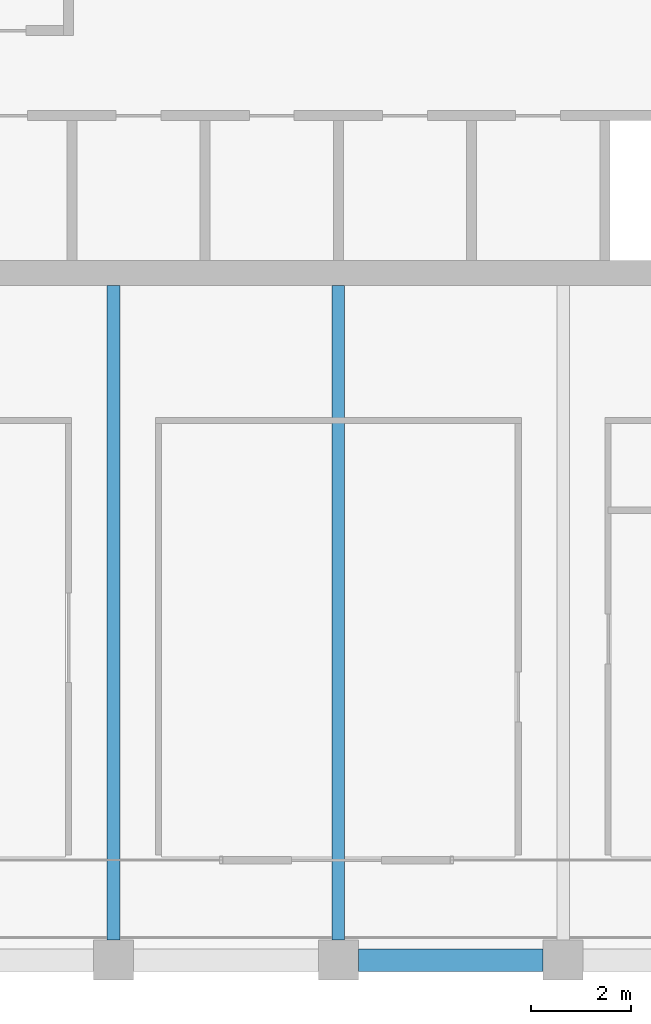
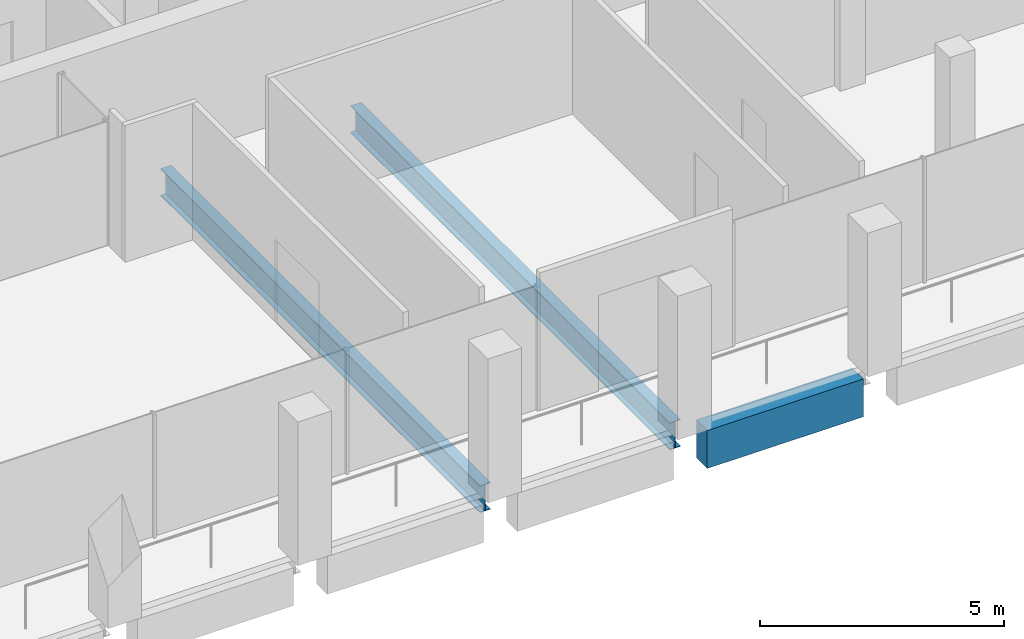
# One storey, part 10 of 62: 3 beams.
"""IFC4 building model written with IfcOpenShell, lengths in metres."""

from ifc_helpers import new_model, si_unit, direction, frame, origin, origin_2d, place, context, subcontext, project, spatial, rectangle, i_section, extrude, material, material_profile, profile_set, type_object, element, save


model = new_model("IFC4")

# Units and contexts
model_context = context("Model", 3, precision=1e-05, world=origin(), true_north=direction((0.0, 1.0)))
body_context = subcontext(model_context, "Body", "Model", "MODEL_VIEW")
ifc_project = project(units=[si_unit("LENGTHUNIT", "METRE"), si_unit("AREAUNIT", "SQUARE_METRE"), si_unit("VOLUMEUNIT", "CUBIC_METRE"), si_unit("PLANEANGLEUNIT", "RADIAN"), si_unit("MASSUNIT", "GRAM", prefix="KILO")], contexts=[model_context])

# Site, building, storey
site_placement = place(None, origin())
site = spatial("IfcSite", under=ifc_project, at=site_placement, CompositionType="ELEMENT")
building_placement = place(site_placement, origin())
building = spatial("IfcBuilding", under=site, at=building_placement, Name="Altepetl Exchange Towers", CompositionType="ELEMENT")
storey_placement = place(building_placement, frame((0.0, 0.0, 210.0)))
storey = spatial("IfcBuildingStorey", under=building, at=storey_placement, Name="L53", CompositionType="ELEMENT", Elevation=210.0)

# Beams
ifc_material_1 = material(Name="Steel S355", Category="steel")
ifc_material_profile_1 = material_profile(ifc_material_1, i_section(OverallWidth=0.2529296875, OverallDepth=0.677978515625, WebThickness=0.01171875, FlangeThickness=0.016357421875, at=origin_2d()), Name="W27X84")
ifc_profile_set_1 = profile_set([ifc_material_profile_1], Name="Steel S355")
beam_type_1 = type_object("IfcBeamType", Name="Floor beam W27X84", PredefinedType="BEAM", material=ifc_profile_set_1)
for number, where, z_axis, x_axis, name in (
    (1, (45.0, 27.39990234375, -0.489013671875), (0.0, 1.0, 0.0), (-1.0, 0.0, 0.0), "bm:A:L53:015"),
    (2, (49.5, 27.39990234375, -0.489013671875), (0.0, 1.0, 0.0), (-1.0, 0.0, 0.0), "bm:A:L53:016"),
):
    element("IfcBeam", number, at=place(storey_placement, frame(where, z_axis=z_axis, x_axis=x_axis)), inside=storey, type_object=beam_type_1, Name=name, PredefinedType="BEAM", context=body_context, shape_type="SweptSolid", body=[
        extrude(i_section(OverallWidth=0.2529296875, OverallDepth=0.677978515625, WebThickness=0.01171875, FlangeThickness=0.016357421875, at=origin_2d()), origin(), (0.0, 0.0, 1.0), 13.10009765625),
    ])
ifc_material_2 = material(Name="Concrete C50/60 precast with cantera blanca facing", Category="concrete")
ifc_material_profile_2 = material_profile(ifc_material_2, rectangle(XDim=0.449951171875, YDim=0.949951171875, at=origin_2d()), Name="450 x 950")
ifc_profile_set_2 = profile_set([ifc_material_profile_2], Name="Concrete C50/60 precast with cantera blanca facing")
beam_type_2 = type_object("IfcBeamType", Name="Spandrel beam 450x950 cantera blanca", PredefinedType="SPANDREL", material=ifc_profile_set_2)
beam_placement = place(storey_placement, frame((49.89990234375, 27.0, -0.625), z_axis=(1.0, 0.0, 0.0), x_axis=(0.0, 1.0, 0.0)))
element("IfcBeam", 3, at=beam_placement, inside=storey, type_object=beam_type_2, Name="sp:A:L53:004", PredefinedType="SPANDREL", context=body_context, shape_type="SweptSolid", body=[
    extrude(rectangle(XDim=0.449951171875, YDim=0.949951171875, at=origin_2d()), origin(), (0.0, 0.0, 1.0), 3.7001953125),
])

save(model, "model.ifc")
